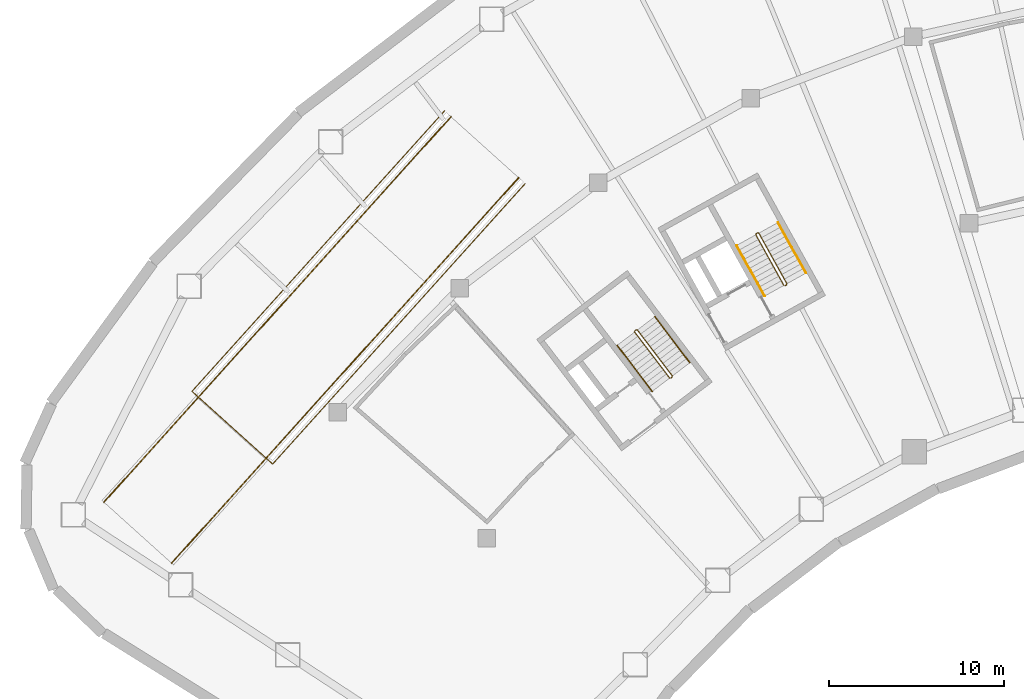
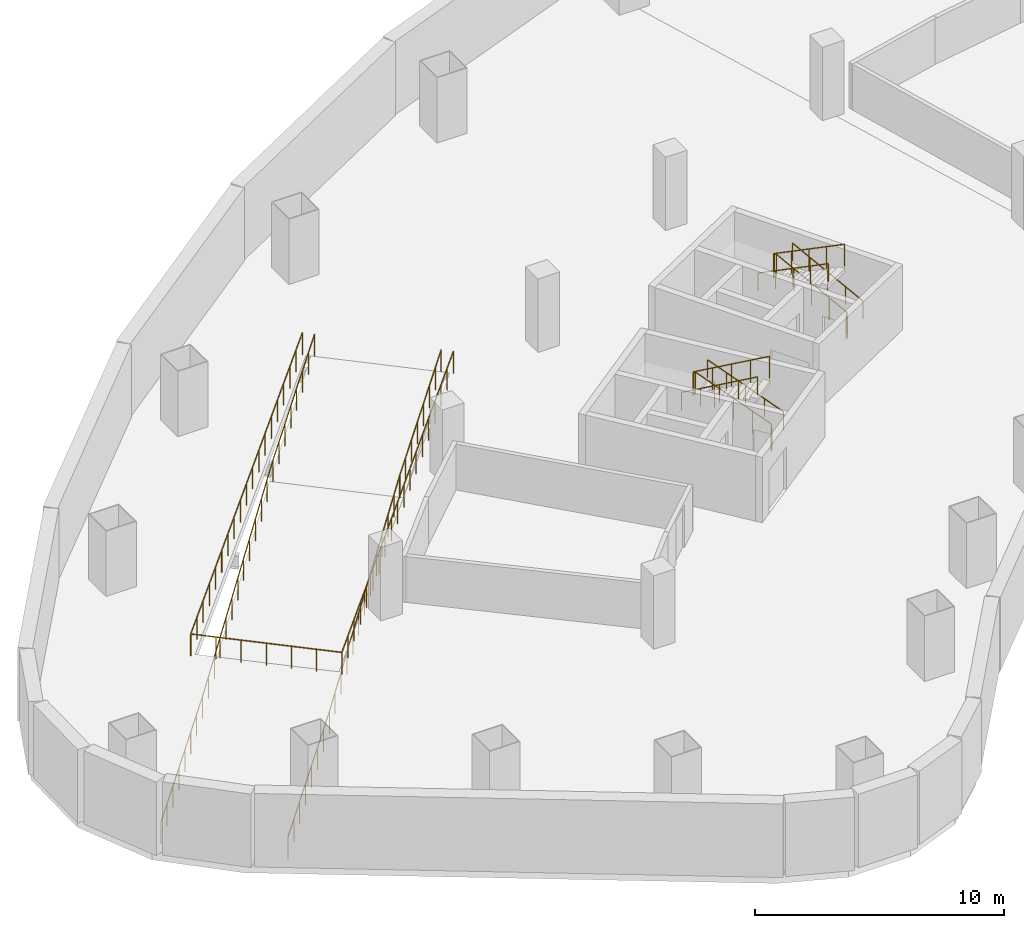
# One storey, part 9 of 10: 9 railings.
"""IFC4 building model written with IfcOpenShell, lengths in metres."""

import ifcopenshell
import ifcopenshell.guid

model = None  # the IFC model being written
_history = None  # IfcOwnerHistory: only IFC2X3 demands one
_inside = {}  # id of a spatial element -> (the spatial element, [elements in it])
_under = {}  # id of a project, library or spatial element -> (it, [spatial elements below it])
_declared = {}  # id of a project -> (the project, [libraries it declares])
_typed = {}  # id of a type object -> (the type object, [elements of that type])
_made_of = {}  # id of a material, layer set ... -> (it, [elements and type objects made of it])


def new_model(schema):
    """Start an empty IFC model of exactly this schema.

    Asked for "IFC4X3", IfcOpenShell would pick the latest addendum, in which some entities
    have other attributes; the version numbers below select the first issue.
    IFC2X3 requires an IfcOwnerHistory on every rooted entity: one is made here for all.
    """
    global model, _history
    if schema == "IFC4X3":
        model = ifcopenshell.file(schema_version=(4, 3, 0, 0))
    else:
        model = ifcopenshell.file(schema=schema)
    _inside.clear()
    _under.clear()
    _declared.clear()
    _typed.clear()
    _made_of.clear()
    _history = None
    if model.schema == "IFC2X3":
        org = make("IfcOrganization", Name="unknown")
        user = make(
            "IfcPersonAndOrganization",
            ThePerson=make("IfcPerson", FamilyName="unknown"),
            TheOrganization=org,
        )
        app = make(
            "IfcApplication",
            ApplicationDeveloper=org,
            Version="unknown",
            ApplicationFullName="unknown",
            ApplicationIdentifier="unknown",
        )
        _history = make(
            "IfcOwnerHistory",
            OwningUser=user,
            OwningApplication=app,
            ChangeAction="ADDED",
            CreationDate=0,
        )
    return model


def make(cls, **values):
    """One entity of the class cls with the attributes given. An attribute that is None is left unset."""
    return model.create_entity(
        cls, **{name: value for name, value in values.items() if value is not None}
    )


def rooted(cls, **values):
    """An entity with a GlobalId (a new one), such as an element, a storey or a relation."""
    return make(cls, GlobalId=ifcopenshell.guid.new(), OwnerHistory=_history, **values)


def si_unit(unit_type, name, prefix=None):
    """IfcSIUnit, for example si_unit("LENGTHUNIT", "METRE", prefix="MILLI")."""
    return make("IfcSIUnit", UnitType=unit_type, Prefix=prefix, Name=name)


def assignment(units):
    """IfcUnitAssignment: the units of a project."""
    return None if units is None else make("IfcUnitAssignment", Units=units)


def point(xyz):
    """IfcCartesianPoint."""
    return None if xyz is None else make("IfcCartesianPoint", Coordinates=xyz)


def direction(xyz):
    """IfcDirection."""
    return None if xyz is None else make("IfcDirection", DirectionRatios=xyz)


def frame(location, z_axis=None, x_axis=None):
    """IfcAxis2Placement3D, a coordinate frame: its origin and axes. An axis left out is left unset."""
    return make(
        "IfcAxis2Placement3D",
        Location=point(location),
        Axis=direction(z_axis),
        RefDirection=direction(x_axis),
    )


def frame_2d(location, x_axis=None):
    """IfcAxis2Placement2D, a coordinate frame in the plane: its origin and x axis."""
    return make(
        "IfcAxis2Placement2D", Location=point(location), RefDirection=direction(x_axis)
    )


def origin():
    """The frame at (0, 0, 0) with its axes left unset."""
    return frame((0.0, 0.0, 0.0))


def origin_2d():
    """The frame at (0, 0) in the plane with its x axis left unset."""
    return frame_2d((0.0, 0.0))


def place(relative_to, where):
    """IfcLocalPlacement: puts the frame where relative to a parent placement (None: the world)."""
    return make(
        "IfcLocalPlacement", PlacementRelTo=relative_to, RelativePlacement=where
    )


def context(
    kind, dimensions, precision=None, world=None, true_north=None, identifier=None
):
    """IfcGeometricRepresentationContext, for example the 3D "Model" context."""
    return make(
        "IfcGeometricRepresentationContext",
        ContextIdentifier=identifier,
        ContextType=kind,
        CoordinateSpaceDimension=dimensions,
        Precision=precision,
        WorldCoordinateSystem=world,
        TrueNorth=true_north,
    )


def subcontext(parent, identifier, kind, view, scale=None):
    """IfcGeometricRepresentationSubContext, for example "Body" below "Model"."""
    return make(
        "IfcGeometricRepresentationSubContext",
        ContextIdentifier=identifier,
        ContextType=kind,
        ParentContext=parent,
        TargetScale=scale,
        TargetView=view,
    )


def project(units=None, contexts=None):
    """IfcProject with its units and contexts."""
    return rooted(
        "IfcProject",
        Name="project",
        RepresentationContexts=contexts,
        UnitsInContext=assignment(units),
    )


def spatial(cls, under=None, at=None, **own):
    """A site, building, storey or space (cls), placed at a placement, below another one or the project."""
    s = rooted(cls, ObjectPlacement=at, **own)
    if under is not None:
        _under.setdefault(under.id(), (under, []))[1].append(s)
    return s


def profile(cls, at=None, kind="AREA", **sizes):
    """A parametric profile (cls). Its sizes go by their IFC names, for example OverallWidth=200.0."""
    return make(cls, ProfileType=kind, Position=at, **sizes)


def circle(**sizes):
    """IfcCircleProfileDef."""
    return profile("IfcCircleProfileDef", **sizes)


def extrude(swept, where, along, depth):
    """IfcExtrudedAreaSolid: the profile swept, set in the frame where, extruded along a direction by depth."""
    return make(
        "IfcExtrudedAreaSolid",
        SweptArea=swept,
        Position=where,
        ExtrudedDirection=direction(along),
        Depth=depth,
    )


def shape(context_of_items, identifier, shape_type, items):
    """IfcShapeRepresentation: the items that make up one representation, for example the "Body"."""
    return make(
        "IfcShapeRepresentation",
        ContextOfItems=context_of_items,
        RepresentationIdentifier=identifier,
        RepresentationType=shape_type,
        Items=items,
    )


def material(Name=None, Category=None):
    """IfcMaterial."""
    return make("IfcMaterial", Name=Name, Category=Category)


def made_of(thing, what):
    """Note that an element or type object is made of a material, layer set ...; save() writes the relation."""
    if what is not None:
        _made_of.setdefault(what.id(), (what, []))[1].append(thing)
    return thing


def type_object(cls, material=None, **own):
    """A type object (cls), such as IfcWallType, which elements share."""
    return made_of(rooted(cls, **own), material)


def element(
    cls,
    number,
    at=None,
    inside=None,
    cuts=None,
    type_object=None,
    material=None,
    context=None,
    identifier="Body",
    shape_type=None,
    held_by="IfcProductDefinitionShape",
    body=None,
    shapes=None,
    **own,
):
    """One element of the class cls, such as IfcWall. Its Tag is "e" and its number.

    at: its placement. inside: the storey or other place that contains it. cuts: it is an
    opening in that element (IfcRelVoidsElement). A single representation is given by context,
    identifier, shape_type and body (its items); several are given by shapes. held_by: the class
    of the entity that holds the representations. save() writes the other relations.
    """
    e = rooted(cls, Tag="e%d" % number, ObjectPlacement=at, **own)
    if body is not None:
        shapes = [shape(context, identifier, shape_type, body)]
    if shapes is not None:
        e.Representation = make(held_by, Representations=shapes)
    if inside is not None:
        _inside.setdefault(inside.id(), (inside, []))[1].append(e)
    if cuts is not None:
        rooted(
            "IfcRelVoidsElement", RelatingBuildingElement=cuts, RelatedOpeningElement=e
        )
    if type_object is not None:
        _typed.setdefault(type_object.id(), (type_object, []))[1].append(e)
    return made_of(e, material)


def aggregate(whole, parts):
    """IfcRelAggregates: a whole, such as a stair, and the parts it consists of."""
    return rooted("IfcRelAggregates", RelatingObject=whole, RelatedObjects=parts)


def save(model, path):
    """Write the relations noted so far, then the file.

    IfcRelAggregates (storeys below a building ...), IfcRelContainedInSpatialStructure (elements
    in a storey), IfcRelDefinesByType, IfcRelAssociatesMaterial and IfcRelDeclares: one each for
    every whole, place, type object, material and project.
    """
    for whole, parts in _under.values():
        aggregate(whole, parts)
    for where, things in _inside.values():
        rooted(
            "IfcRelContainedInSpatialStructure",
            RelatedElements=things,
            RelatingStructure=where,
        )
    for kind, things in _typed.values():
        rooted("IfcRelDefinesByType", RelatedObjects=things, RelatingType=kind)
    for what, things in _made_of.values():
        rooted("IfcRelAssociatesMaterial", RelatedObjects=things, RelatingMaterial=what)
    for by, libraries in _declared.values():
        rooted("IfcRelDeclares", RelatingContext=by, RelatedDefinitions=libraries)
    model.write(path)


model = new_model("IFC4")

# Units and contexts
model_context = context("Model", 3, precision=1e-05, world=origin(), true_north=direction((0.0, 1.0)))
body_context = subcontext(model_context, "Body", "Model", "MODEL_VIEW")
ifc_project = project(units=[si_unit("LENGTHUNIT", "METRE"), si_unit("AREAUNIT", "SQUARE_METRE"), si_unit("VOLUMEUNIT", "CUBIC_METRE"), si_unit("PLANEANGLEUNIT", "RADIAN"), si_unit("MASSUNIT", "GRAM", prefix="KILO")], contexts=[model_context])

# Site, building, storey
site_placement = place(None, origin())
site = spatial("IfcSite", under=ifc_project, at=site_placement, CompositionType="ELEMENT")
building_placement = place(site_placement, origin())
building = spatial("IfcBuilding", under=site, at=building_placement, Name="Tuul Gate Civic Tower", CompositionType="ELEMENT")
storey_placement = place(building_placement, frame((0.0, 0.0, -8.10009765625)))
storey = spatial("IfcBuildingStorey", under=building, at=storey_placement, Name="Basement 2", CompositionType="ELEMENT", Elevation=-8.10009765625)

# Railings
ifc_material_1 = material(Name="Painted steel", Category="steel")
railing_type_1 = type_object("IfcRailingType", Name="Stair guard", PredefinedType="GUARDRAIL", material=ifc_material_1)
railing_1_placement = place(storey_placement, frame((-33.382080078125, -13.515380859375, 0.0)))
element("IfcRailing", 1, at=railing_1_placement, inside=storey, type_object=railing_type_1, Name="Basement 2 ST-1 stair guard 1", PredefinedType="GUARDRAIL", context=body_context, shape_type="SweptSolid", body=[
    extrude(circle(Radius=0.02392578125, at=origin_2d()), frame((0.0, 0.0, 1.076171875), z_axis=(-0.795879841968, -0.605454603706, 0.0), x_axis=(0.605454603706, -0.795879841968, 0.0)), (0.0, 0.0, 1.0), 0.10009765625),
    extrude(circle(Radius=0.02392578125, at=origin_2d()), frame((-0.07958984375, -0.060546875, 1.076171875), z_axis=(0.408676696321, 0.599019267211, 0.688592241747), x_axis=(-0.826063974707, 0.563576356576, 0.0)), (0.0, 0.0, 1.0), 0.218017578125),
    extrude(circle(Radius=0.02392578125, at=origin_2d()), frame((0.009521484375, 0.070068359375, 1.22607421875), z_axis=(-0.541833074758, 0.711635672441, 0.447204191403), x_axis=(-0.795628686791, -0.60578460921, 0.0)), (0.0, 0.0, 1.0), 3.689453125),
    extrude(circle(Radius=0.02392578125, at=origin_2d()), frame((-1.989501953125, 2.695556640625, 2.8759765625), z_axis=(-0.990893089246, 0.134650977284, 0.0), x_axis=(-0.134650977284, -0.990893089246, 0.0)), (0.0, 0.0, 1.0), 0.07080078125),
    extrude(circle(Radius=0.02392578125, at=origin_2d()), frame((-2.0595703125, 2.705078125, 2.8759765625), z_axis=(-0.795879841968, -0.605454603706, 0.0), x_axis=(0.605454603706, -0.795879841968, 0.0)), (0.0, 0.0, 1.0), 0.10009765625),
    extrude(circle(Radius=0.02392578125, at=origin_2d()), frame((-2.13916015625, 2.64453125, 2.8759765625), z_axis=(-0.057370624079, -0.422188951554, 0.904690610473), x_axis=(0.990893089246, -0.134650977284, 0.0)), (0.0, 0.0, 1.0), 0.166015625),
    extrude(circle(Radius=0.02392578125, at=origin_2d()), frame((-2.148681640625, 2.574462890625, 3.0263671875), z_axis=(0.541833074758, -0.711635672441, 0.447204191403), x_axis=(0.795628686791, 0.60578460921, 0.0)), (0.0, 0.0, 1.0), 3.689453125),
    extrude(circle(Radius=0.02099609375, at=origin_2d()), origin(), (0.0, 0.0, 1.0), 1.052001953125),
    extrude(circle(Radius=0.02099609375, at=origin_2d()), frame((-0.07958984375, -0.060546875, 0.0)), (0.0, 0.0, 1.0), 1.052001953125),
    extrude(circle(Radius=0.02099609375, at=origin_2d()), frame((0.009521484375, 0.070068359375, 0.150146484375)), (0.0, 0.0, 1.0), 1.052001953125),
    extrude(circle(Radius=0.02099609375, at=origin_2d()), frame((-0.490234375, 0.7265625, 0.5625)), (0.0, 0.0, 1.0), 1.052001953125),
    extrude(circle(Radius=0.02099609375, at=origin_2d()), frame((-0.989990234375, 1.3828125, 0.97509765625)), (0.0, 0.0, 1.0), 1.052001953125),
    extrude(circle(Radius=0.02099609375, at=origin_2d()), frame((-1.48974609375, 2.0390625, 1.3876953125)), (0.0, 0.0, 1.0), 1.052001953125),
    extrude(circle(Radius=0.02099609375, at=origin_2d()), frame((-1.989501953125, 2.695556640625, 1.800048828125)), (0.0, 0.0, 1.0), 1.052001953125),
    extrude(circle(Radius=0.02099609375, at=origin_2d()), frame((-2.0595703125, 2.705078125, 1.800048828125)), (0.0, 0.0, 1.0), 1.052001953125),
    extrude(circle(Radius=0.02099609375, at=origin_2d()), frame((-2.13916015625, 2.64453125, 1.800048828125)), (0.0, 0.0, 1.0), 1.052001953125),
    extrude(circle(Radius=0.02099609375, at=origin_2d()), frame((-2.148681640625, 2.574462890625, 1.9501953125)), (0.0, 0.0, 1.0), 1.052001953125),
    extrude(circle(Radius=0.02099609375, at=origin_2d()), frame((-1.64892578125, 1.91796875, 2.36279296875)), (0.0, 0.0, 1.0), 1.052001953125),
    extrude(circle(Radius=0.02099609375, at=origin_2d()), frame((-1.149169921875, 1.26171875, 2.775146484375)), (0.0, 0.0, 1.0), 1.052001953125),
    extrude(circle(Radius=0.02099609375, at=origin_2d()), frame((-0.6494140625, 0.60546875, 3.1875)), (0.0, 0.0, 1.0), 1.052001953125),
    extrude(circle(Radius=0.02099609375, at=origin_2d()), frame((-0.149658203125, -0.051025390625, 3.60009765625)), (0.0, 0.0, 1.0), 1.052001953125),
])
railing_2_placement = place(storey_placement, frame((-26.857666015625, -8.247314453125, 0.0)))
element("IfcRailing", 2, at=railing_2_placement, inside=storey, type_object=railing_type_1, Name="Basement 2 ST-2 stair guard 1", PredefinedType="GUARDRAIL", context=body_context, shape_type="SweptSolid", body=[
    extrude(circle(Radius=0.02392578125, at=origin_2d()), frame((0.0, 0.0, 1.076171875), z_axis=(-0.874616555828, -0.48481530532, 0.0), x_axis=(0.48481530532, -0.874616555828, 0.0)), (0.0, 0.0, 1.0), 0.10009765625),
    extrude(circle(Radius=0.02392578125, at=origin_2d()), frame((-0.087646484375, -0.048583984375, 1.076171875), z_axis=(0.490435707169, 0.534104639999, 0.688625479244), x_axis=(-0.736576986774, 0.676353711126, 0.0)), (0.0, 0.0, 1.0), 0.218017578125),
    extrude(circle(Radius=0.02392578125, at=origin_2d()), frame((0.019287109375, 0.06787109375, 1.22607421875), z_axis=(-0.433553189165, 0.782341171474, 0.447184440228), x_axis=(-0.874669765463, -0.484719301642, 0.0)), (0.0, 0.0, 1.0), 3.689453125),
    extrude(circle(Radius=0.02392578125, at=origin_2d()), frame((-1.580322265625, 2.954345703125, 2.8759765625), z_axis=(-0.961914682459, 0.273349855807, 0.0), x_axis=(-0.273349855807, -0.961914682459, 0.0)), (0.0, 0.0, 1.0), 0.070556640625),
    extrude(circle(Radius=0.02392578125, at=origin_2d()), frame((-1.648193359375, 2.9736328125, 2.8759765625), z_axis=(-0.87564882518, -0.482948377119, 0.0), x_axis=(0.482948377119, -0.87564882518, 0.0)), (0.0, 0.0, 1.0), 0.10009765625),
    extrude(circle(Radius=0.02392578125, at=origin_2d()), frame((-1.73583984375, 2.92529296875, 2.8759765625), z_axis=(-0.116188155322, -0.410335383985, 0.90450272814), x_axis=(0.962171938298, -0.272442950271, 0.0)), (0.0, 0.0, 1.0), 0.166015625),
    extrude(circle(Radius=0.02392578125, at=origin_2d()), frame((-1.755126953125, 2.857177734375, 3.0263671875), z_axis=(0.43357563431, -0.782315498904, 0.447207591067), x_axis=(0.874652381884, 0.484750668762, 0.0)), (0.0, 0.0, 1.0), 3.689453125),
    extrude(circle(Radius=0.02099609375, at=origin_2d()), origin(), (0.0, 0.0, 1.0), 1.052001953125),
    extrude(circle(Radius=0.02099609375, at=origin_2d()), frame((-0.087646484375, -0.048583984375, 0.0)), (0.0, 0.0, 1.0), 1.052001953125),
    extrude(circle(Radius=0.02099609375, at=origin_2d()), frame((0.019287109375, 0.06787109375, 0.150146484375)), (0.0, 0.0, 1.0), 1.052001953125),
    extrude(circle(Radius=0.02099609375, at=origin_2d()), frame((-0.380615234375, 0.78955078125, 0.5625)), (0.0, 0.0, 1.0), 1.052001953125),
    extrude(circle(Radius=0.02099609375, at=origin_2d()), frame((-0.780517578125, 1.51123046875, 0.97509765625)), (0.0, 0.0, 1.0), 1.052001953125),
    extrude(circle(Radius=0.02099609375, at=origin_2d()), frame((-1.180419921875, 2.232666015625, 1.3876953125)), (0.0, 0.0, 1.0), 1.052001953125),
    extrude(circle(Radius=0.02099609375, at=origin_2d()), frame((-1.580322265625, 2.954345703125, 1.800048828125)), (0.0, 0.0, 1.0), 1.052001953125),
    extrude(circle(Radius=0.02099609375, at=origin_2d()), frame((-1.648193359375, 2.9736328125, 1.800048828125)), (0.0, 0.0, 1.0), 1.052001953125),
    extrude(circle(Radius=0.02099609375, at=origin_2d()), frame((-1.73583984375, 2.92529296875, 1.800048828125)), (0.0, 0.0, 1.0), 1.052001953125),
    extrude(circle(Radius=0.02099609375, at=origin_2d()), frame((-1.755126953125, 2.857177734375, 1.9501953125)), (0.0, 0.0, 1.0), 1.052001953125),
    extrude(circle(Radius=0.02099609375, at=origin_2d()), frame((-1.355224609375, 2.1357421875, 2.36279296875)), (0.0, 0.0, 1.0), 1.052001953125),
    extrude(circle(Radius=0.02099609375, at=origin_2d()), frame((-0.955322265625, 1.4140625, 2.775146484375)), (0.0, 0.0, 1.0), 1.052001953125),
    extrude(circle(Radius=0.02099609375, at=origin_2d()), frame((-0.555419921875, 0.6923828125, 3.1875)), (0.0, 0.0, 1.0), 1.052001953125),
    extrude(circle(Radius=0.02099609375, at=origin_2d()), frame((-0.155517578125, -0.029052734375, 3.60009765625)), (0.0, 0.0, 1.0), 1.052001953125),
])
ifc_material_2 = material(Name="Painted steel", Category="steel")
railing_type_2 = type_object("IfcRailingType", Name="Stair handrail", PredefinedType="HANDRAIL", material=ifc_material_2)
railing_3_placement = place(storey_placement, frame((-32.3779296875, -12.688232421875, 0.150146484375)))
element("IfcRailing", 3, at=railing_3_placement, inside=storey, type_object=railing_type_2, Name="Basement 2 ST-1 stair handrail 1", PredefinedType="HANDRAIL", context=body_context, shape_type="SweptSolid", body=[
    extrude(circle(Radius=0.02392578125, at=origin_2d()), frame((0.0, 0.0, 0.8759765625), z_axis=(-0.541807559473, 0.711668331966, 0.447183132257), x_axis=(-0.795655834834, -0.605748951708, 0.0)), (0.0, 0.0, 1.0), 3.689453125),
    extrude(circle(Radius=0.02099609375, at=origin_2d()), origin(), (0.0, 0.0, 1.0), 0.851806640625),
    extrude(circle(Radius=0.02099609375, at=origin_2d()), frame((-0.499755859375, 0.656494140625, 0.41259765625)), (0.0, 0.0, 1.0), 0.851806640625),
    extrude(circle(Radius=0.02099609375, at=origin_2d()), frame((-0.99951171875, 1.31298828125, 0.824951171875)), (0.0, 0.0, 1.0), 0.851806640625),
    extrude(circle(Radius=0.02099609375, at=origin_2d()), frame((-1.499267578125, 1.96923828125, 1.2373046875)), (0.0, 0.0, 1.0), 0.851806640625),
    extrude(circle(Radius=0.02099609375, at=origin_2d()), frame((-1.9990234375, 2.625732421875, 1.64990234375)), (0.0, 0.0, 1.0), 0.851806640625),
])
railing_4_placement = place(storey_placement, frame((-36.525146484375, -11.697998046875, 1.9501953125)))
element("IfcRailing", 4, at=railing_4_placement, inside=storey, type_object=railing_type_2, Name="Basement 2 ST-1 stair handrail 2", PredefinedType="HANDRAIL", context=body_context, shape_type="SweptSolid", body=[
    extrude(circle(Radius=0.02392578125, at=origin_2d()), frame((0.0, 0.0, 0.8759765625), z_axis=(0.541807559473, -0.711668331966, 0.447183132257), x_axis=(0.795655834834, 0.605748951708, 0.0)), (0.0, 0.0, 1.0), 3.689453125),
    extrude(circle(Radius=0.02099609375, at=origin_2d()), origin(), (0.0, 0.0, 1.0), 0.851806640625),
    extrude(circle(Radius=0.02099609375, at=origin_2d()), frame((0.499755859375, -0.656494140625, 0.41259765625)), (0.0, 0.0, 1.0), 0.851806640625),
    extrude(circle(Radius=0.02099609375, at=origin_2d()), frame((0.99951171875, -1.31298828125, 0.824951171875)), (0.0, 0.0, 1.0), 0.851806640625),
    extrude(circle(Radius=0.02099609375, at=origin_2d()), frame((1.499267578125, -1.96923828125, 1.2373046875)), (0.0, 0.0, 1.0), 0.851806640625),
    extrude(circle(Radius=0.02099609375, at=origin_2d()), frame((1.9990234375, -2.625732421875, 1.64990234375)), (0.0, 0.0, 1.0), 0.851806640625),
])
railing_5_placement = place(storey_placement, frame((-25.744873046875, -7.573486328125, 0.150146484375)))
element("IfcRailing", 5, at=railing_5_placement, inside=storey, type_object=railing_type_2, Name="Basement 2 ST-2 stair handrail 1", PredefinedType="HANDRAIL", context=body_context, shape_type="SweptSolid", body=[
    extrude(circle(Radius=0.02392578125, at=origin_2d()), frame((0.0, 0.0, 0.8759765625), z_axis=(-0.433606919896, 0.782318726375, 0.447171610661), x_axis=(-0.874638399355, -0.484775897063, 0.0)), (0.0, 0.0, 1.0), 3.689697265625),
    extrude(circle(Radius=0.02099609375, at=origin_2d()), origin(), (0.0, 0.0, 1.0), 0.851806640625),
    extrude(circle(Radius=0.02099609375, at=origin_2d()), frame((-0.39990234375, 0.7216796875, 0.41259765625)), (0.0, 0.0, 1.0), 0.851806640625),
    extrude(circle(Radius=0.02099609375, at=origin_2d()), frame((-0.7998046875, 1.443359375, 0.824951171875)), (0.0, 0.0, 1.0), 0.851806640625),
    extrude(circle(Radius=0.02099609375, at=origin_2d()), frame((-1.199951171875, 2.164794921875, 1.2373046875)), (0.0, 0.0, 1.0), 0.851806640625),
    extrude(circle(Radius=0.02099609375, at=origin_2d()), frame((-1.599853515625, 2.886474609375, 1.64990234375)), (0.0, 0.0, 1.0), 0.851806640625),
])
railing_6_placement = place(storey_placement, frame((-29.706298828125, -5.99609375, 1.9501953125)))
element("IfcRailing", 6, at=railing_6_placement, inside=storey, type_object=railing_type_2, Name="Basement 2 ST-2 stair handrail 2", PredefinedType="HANDRAIL", context=body_context, shape_type="SweptSolid", body=[
    extrude(circle(Radius=0.02392578125, at=origin_2d()), frame((0.0, 0.0, 0.8759765625), z_axis=(0.433629366535, -0.782293052218, 0.447194759507), x_axis=(0.87462101234, 0.484807265595, 0.0)), (0.0, 0.0, 1.0), 3.689453125),
    extrude(circle(Radius=0.02099609375, at=origin_2d()), origin(), (0.0, 0.0, 1.0), 0.851806640625),
    extrude(circle(Radius=0.02099609375, at=origin_2d()), frame((0.39990234375, -0.7216796875, 0.41259765625)), (0.0, 0.0, 1.0), 0.851806640625),
    extrude(circle(Radius=0.02099609375, at=origin_2d()), frame((0.7998046875, -1.443115234375, 0.824951171875)), (0.0, 0.0, 1.0), 0.851806640625),
    extrude(circle(Radius=0.02099609375, at=origin_2d()), frame((1.199951171875, -2.16455078125, 1.2373046875)), (0.0, 0.0, 1.0), 0.851806640625),
    extrude(circle(Radius=0.02099609375, at=origin_2d()), frame((1.599853515625, -2.88623046875, 1.64990234375)), (0.0, 0.0, 1.0), 0.851806640625),
])
ifc_material_3 = material(Name="Stainless steel", Category="steel")
railing_type_3 = type_object("IfcRailingType", Name="Terrace guard", PredefinedType="GUARDRAIL", material=ifc_material_3)
railing_7_placement = place(storey_placement, frame((-42.14892578125, -2.133544921875, 0.0)))
element("IfcRailing", 7, at=railing_7_placement, inside=storey, type_object=railing_type_3, Name="Guard", PredefinedType="GUARDRAIL", context=body_context, shape_type="SweptSolid", body=[
    extrude(circle(Radius=0.02392578125, at=origin_2d()), frame((0.0, 0.0, 1.076171875), z_axis=(-0.666809711944, -0.740588803487, -0.083024286856), x_axis=(0.743154526579, -0.669119832037, 0.0)), (0.0, 0.0, 1.0), 8.02783203125),
    extrude(circle(Radius=0.02392578125, at=origin_2d()), frame((-5.35302734375, -5.9453125, 0.40966796875), z_axis=(-0.660024551727, -0.733032042921, -0.164412940999), x_axis=(0.74314505955, -0.669130346394, 0.0)), (0.0, 0.0, 1.0), 13.78759765625),
    extrude(circle(Radius=0.02392578125, at=origin_2d()), frame((-14.453125, -16.052001953125, -1.857421875), z_axis=(-0.66682473047, -0.740575071225, -0.083026156808), x_axis=(0.743140862918, -0.669135007201, 0.0)), (0.0, 0.0, 1.0), 8.027587890625),
    extrude(circle(Radius=0.02099609375, at=origin_2d()), origin(), (0.0, 0.0, 1.0), 1.052001953125),
    extrude(circle(Radius=0.02099609375, at=origin_2d()), frame((-0.7646484375, -0.849365234375, -0.09521484375)), (0.0, 0.0, 1.0), 1.052001953125),
    extrude(circle(Radius=0.02099609375, at=origin_2d()), frame((-1.529541015625, -1.69873046875, -0.1904296875)), (0.0, 0.0, 1.0), 1.052001953125),
    extrude(circle(Radius=0.02099609375, at=origin_2d()), frame((-2.294189453125, -2.548095703125, -0.28564453125)), (0.0, 0.0, 1.0), 1.052001953125),
    extrude(circle(Radius=0.02099609375, at=origin_2d()), frame((-3.058837890625, -3.397216796875, -0.380859375)), (0.0, 0.0, 1.0), 1.052001953125),
    extrude(circle(Radius=0.02099609375, at=origin_2d()), frame((-3.823486328125, -4.24658203125, -0.47607421875)), (0.0, 0.0, 1.0), 1.052001953125),
    extrude(circle(Radius=0.02099609375, at=origin_2d()), frame((-4.58837890625, -5.095947265625, -0.5712890625)), (0.0, 0.0, 1.0), 1.052001953125),
    extrude(circle(Radius=0.02099609375, at=origin_2d()), frame((-5.35302734375, -5.9453125, -0.66650390625)), (0.0, 0.0, 1.0), 1.052001953125),
    extrude(circle(Radius=0.02099609375, at=origin_2d()), frame((-6.111328125, -6.78759765625, -0.85546875)), (0.0, 0.0, 1.0), 1.052001953125),
    extrude(circle(Radius=0.02099609375, at=origin_2d()), frame((-6.86962890625, -7.6298828125, -1.04443359375)), (0.0, 0.0, 1.0), 1.052001953125),
    extrude(circle(Radius=0.02099609375, at=origin_2d()), frame((-7.6279296875, -8.471923828125, -1.233154296875)), (0.0, 0.0, 1.0), 1.052001953125),
    extrude(circle(Radius=0.02099609375, at=origin_2d()), frame((-8.386474609375, -9.314208984375, -1.422119140625)), (0.0, 0.0, 1.0), 1.052001953125),
    extrude(circle(Radius=0.02099609375, at=origin_2d()), frame((-9.144775390625, -10.156494140625, -1.611083984375)), (0.0, 0.0, 1.0), 1.052001953125),
    extrude(circle(Radius=0.02099609375, at=origin_2d()), frame((-9.903076171875, -10.99853515625, -1.7998046875)), (0.0, 0.0, 1.0), 1.052001953125),
    extrude(circle(Radius=0.02099609375, at=origin_2d()), frame((-10.661376953125, -11.8408203125, -1.98876953125)), (0.0, 0.0, 1.0), 1.052001953125),
    extrude(circle(Radius=0.02099609375, at=origin_2d()), frame((-11.419677734375, -12.68310546875, -2.177734375)), (0.0, 0.0, 1.0), 1.052001953125),
    extrude(circle(Radius=0.02099609375, at=origin_2d()), frame((-12.17822265625, -13.525390625, -2.36669921875)), (0.0, 0.0, 1.0), 1.052001953125),
    extrude(circle(Radius=0.02099609375, at=origin_2d()), frame((-12.9365234375, -14.36767578125, -2.5556640625)), (0.0, 0.0, 1.0), 1.052001953125),
    extrude(circle(Radius=0.02099609375, at=origin_2d()), frame((-13.69482421875, -15.209716796875, -2.744384765625)), (0.0, 0.0, 1.0), 1.052001953125),
    extrude(circle(Radius=0.02099609375, at=origin_2d()), frame((-14.453125, -16.052001953125, -2.933349609375)), (0.0, 0.0, 1.0), 1.052001953125),
    extrude(circle(Radius=0.02099609375, at=origin_2d()), frame((-15.2177734375, -16.9013671875, -3.028564453125)), (0.0, 0.0, 1.0), 1.052001953125),
    extrude(circle(Radius=0.02099609375, at=origin_2d()), frame((-15.982666015625, -17.75048828125, -3.123779296875)), (0.0, 0.0, 1.0), 1.052001953125),
    extrude(circle(Radius=0.02099609375, at=origin_2d()), frame((-16.747314453125, -18.599853515625, -3.218994140625)), (0.0, 0.0, 1.0), 1.052001953125),
    extrude(circle(Radius=0.02099609375, at=origin_2d()), frame((-17.511962890625, -19.44921875, -3.314208984375)), (0.0, 0.0, 1.0), 1.052001953125),
    extrude(circle(Radius=0.02099609375, at=origin_2d()), frame((-18.276611328125, -20.298583984375, -3.409423828125)), (0.0, 0.0, 1.0), 1.052001953125),
    extrude(circle(Radius=0.02099609375, at=origin_2d()), frame((-19.04150390625, -21.147705078125, -3.504638671875)), (0.0, 0.0, 1.0), 1.052001953125),
    extrude(circle(Radius=0.02099609375, at=origin_2d()), frame((-19.80615234375, -21.9970703125, -3.599853515625)), (0.0, 0.0, 1.0), 1.052001953125),
])
railing_8_placement = place(storey_placement, frame((-46.01318359375, 1.345947265625, 0.0)))
element("IfcRailing", 8, at=railing_8_placement, inside=storey, type_object=railing_type_3, Name="Guard", PredefinedType="GUARDRAIL", context=body_context, shape_type="SweptSolid", body=[
    extrude(circle(Radius=0.02392578125, at=origin_2d()), frame((0.0, 0.0, 1.076171875), z_axis=(-0.666809711944, -0.740588803487, -0.083024286856), x_axis=(0.743154526579, -0.669119832037, 0.0)), (0.0, 0.0, 1.0), 8.02783203125),
    extrude(circle(Radius=0.02392578125, at=origin_2d()), frame((-5.35302734375, -5.9453125, 0.40966796875), z_axis=(-0.660034545018, -0.733023475791, -0.164411019463), x_axis=(0.74313613293, -0.669140260284, 0.0)), (0.0, 0.0, 1.0), 13.78759765625),
    extrude(circle(Radius=0.02392578125, at=origin_2d()), frame((-14.453369140625, -16.052001953125, -1.857421875), z_axis=(-0.66682473047, -0.740575071225, -0.083026156808), x_axis=(0.743140862918, -0.669135007201, 0.0)), (0.0, 0.0, 1.0), 8.027587890625),
    extrude(circle(Radius=0.02099609375, at=origin_2d()), origin(), (0.0, 0.0, 1.0), 1.052001953125),
    extrude(circle(Radius=0.02099609375, at=origin_2d()), frame((-0.7646484375, -0.849365234375, -0.09521484375)), (0.0, 0.0, 1.0), 1.052001953125),
    extrude(circle(Radius=0.02099609375, at=origin_2d()), frame((-1.529541015625, -1.69873046875, -0.1904296875)), (0.0, 0.0, 1.0), 1.052001953125),
    extrude(circle(Radius=0.02099609375, at=origin_2d()), frame((-2.294189453125, -2.548095703125, -0.28564453125)), (0.0, 0.0, 1.0), 1.052001953125),
    extrude(circle(Radius=0.02099609375, at=origin_2d()), frame((-3.058837890625, -3.397216796875, -0.380859375)), (0.0, 0.0, 1.0), 1.052001953125),
    extrude(circle(Radius=0.02099609375, at=origin_2d()), frame((-3.823486328125, -4.24658203125, -0.47607421875)), (0.0, 0.0, 1.0), 1.052001953125),
    extrude(circle(Radius=0.02099609375, at=origin_2d()), frame((-4.58837890625, -5.095947265625, -0.5712890625)), (0.0, 0.0, 1.0), 1.052001953125),
    extrude(circle(Radius=0.02099609375, at=origin_2d()), frame((-5.35302734375, -5.9453125, -0.66650390625)), (0.0, 0.0, 1.0), 1.052001953125),
    extrude(circle(Radius=0.02099609375, at=origin_2d()), frame((-6.111328125, -6.78759765625, -0.85546875)), (0.0, 0.0, 1.0), 1.052001953125),
    extrude(circle(Radius=0.02099609375, at=origin_2d()), frame((-6.86962890625, -7.6298828125, -1.04443359375)), (0.0, 0.0, 1.0), 1.052001953125),
    extrude(circle(Radius=0.02099609375, at=origin_2d()), frame((-7.628173828125, -8.471923828125, -1.233154296875)), (0.0, 0.0, 1.0), 1.052001953125),
    extrude(circle(Radius=0.02099609375, at=origin_2d()), frame((-8.386474609375, -9.314208984375, -1.422119140625)), (0.0, 0.0, 1.0), 1.052001953125),
    extrude(circle(Radius=0.02099609375, at=origin_2d()), frame((-9.144775390625, -10.156494140625, -1.611083984375)), (0.0, 0.0, 1.0), 1.052001953125),
    extrude(circle(Radius=0.02099609375, at=origin_2d()), frame((-9.9033203125, -10.99853515625, -1.7998046875)), (0.0, 0.0, 1.0), 1.052001953125),
    extrude(circle(Radius=0.02099609375, at=origin_2d()), frame((-10.66162109375, -11.8408203125, -1.98876953125)), (0.0, 0.0, 1.0), 1.052001953125),
    extrude(circle(Radius=0.02099609375, at=origin_2d()), frame((-11.419921875, -12.68310546875, -2.177734375)), (0.0, 0.0, 1.0), 1.052001953125),
    extrude(circle(Radius=0.02099609375, at=origin_2d()), frame((-12.17822265625, -13.525390625, -2.36669921875)), (0.0, 0.0, 1.0), 1.052001953125),
    extrude(circle(Radius=0.02099609375, at=origin_2d()), frame((-12.9365234375, -14.36767578125, -2.5556640625)), (0.0, 0.0, 1.0), 1.052001953125),
    extrude(circle(Radius=0.02099609375, at=origin_2d()), frame((-13.695068359375, -15.209716796875, -2.744384765625)), (0.0, 0.0, 1.0), 1.052001953125),
    extrude(circle(Radius=0.02099609375, at=origin_2d()), frame((-14.453369140625, -16.052001953125, -2.933349609375)), (0.0, 0.0, 1.0), 1.052001953125),
    extrude(circle(Radius=0.02099609375, at=origin_2d()), frame((-15.218017578125, -16.9013671875, -3.028564453125)), (0.0, 0.0, 1.0), 1.052001953125),
    extrude(circle(Radius=0.02099609375, at=origin_2d()), frame((-15.98291015625, -17.75048828125, -3.123779296875)), (0.0, 0.0, 1.0), 1.052001953125),
    extrude(circle(Radius=0.02099609375, at=origin_2d()), frame((-16.74755859375, -18.599853515625, -3.218994140625)), (0.0, 0.0, 1.0), 1.052001953125),
    extrude(circle(Radius=0.02099609375, at=origin_2d()), frame((-17.51220703125, -19.44921875, -3.314208984375)), (0.0, 0.0, 1.0), 1.052001953125),
    extrude(circle(Radius=0.02099609375, at=origin_2d()), frame((-18.27685546875, -20.298583984375, -3.409423828125)), (0.0, 0.0, 1.0), 1.052001953125),
    extrude(circle(Radius=0.02099609375, at=origin_2d()), frame((-19.041748046875, -21.147705078125, -3.504638671875)), (0.0, 0.0, 1.0), 1.052001953125),
    extrude(circle(Radius=0.02099609375, at=origin_2d()), frame((-19.806396484375, -21.9970703125, -3.599853515625)), (0.0, 0.0, 1.0), 1.052001953125),
])
railing_9_placement = place(storey_placement, frame((-41.777587890625, -2.46826171875, 0.0)))
element("IfcRailing", 9, at=railing_9_placement, inside=storey, type_object=railing_type_3, Name="Guard", PredefinedType="GUARDRAIL", context=body_context, shape_type="SweptSolid", body=[
    extrude(circle(Radius=0.02392578125, at=origin_2d()), frame((0.0, 0.0, 1.076171875), z_axis=(-0.669124426321, -0.743150389962, 0.0), x_axis=(0.743150389962, -0.669124426321, 0.0)), (0.0, 0.0, 1.0), 21.5361328125),
    extrude(circle(Radius=0.02392578125, at=origin_2d()), frame((-14.410400390625, -16.004638671875, 1.076171875), z_axis=(-0.743078720692, 0.669204015869, 0.0), x_axis=(-0.669204015869, -0.743078720692, 0.0)), (0.0, 0.0, 1.0), 6.19970703125),
    extrude(circle(Radius=0.02392578125, at=origin_2d()), frame((-19.017333984375, -11.855712890625, 1.076171875), z_axis=(0.669130063433, 0.74314531433, 0.0), x_axis=(-0.74314531433, 0.669130063433, 0.0)), (0.0, 0.0, 1.0), 21.5361328125),
    extrude(circle(Radius=0.02099609375, at=origin_2d()), origin(), (0.0, 0.0, 1.0), 1.052001953125),
    extrude(circle(Radius=0.02099609375, at=origin_2d()), frame((-0.800537109375, -0.88916015625, 0.0)), (0.0, 0.0, 1.0), 1.052001953125),
    extrude(circle(Radius=0.02099609375, at=origin_2d()), frame((-1.60107421875, -1.7783203125, 0.0)), (0.0, 0.0, 1.0), 1.052001953125),
    extrude(circle(Radius=0.02099609375, at=origin_2d()), frame((-2.40185546875, -2.66748046875, 0.0)), (0.0, 0.0, 1.0), 1.052001953125),
    extrude(circle(Radius=0.02099609375, at=origin_2d()), frame((-3.202392578125, -3.556640625, 0.0)), (0.0, 0.0, 1.0), 1.052001953125),
    extrude(circle(Radius=0.02099609375, at=origin_2d()), frame((-4.0029296875, -4.44580078125, 0.0)), (0.0, 0.0, 1.0), 1.052001953125),
    extrude(circle(Radius=0.02099609375, at=origin_2d()), frame((-4.803466796875, -5.3349609375, 0.0)), (0.0, 0.0, 1.0), 1.052001953125),
    extrude(circle(Radius=0.02099609375, at=origin_2d()), frame((-5.60400390625, -6.22412109375, 0.0)), (0.0, 0.0, 1.0), 1.052001953125),
    extrude(circle(Radius=0.02099609375, at=origin_2d()), frame((-6.404541015625, -7.11328125, 0.0)), (0.0, 0.0, 1.0), 1.052001953125),
    extrude(circle(Radius=0.02099609375, at=origin_2d()), frame((-7.205078125, -8.00244140625, 0.0)), (0.0, 0.0, 1.0), 1.052001953125),
    extrude(circle(Radius=0.02099609375, at=origin_2d()), frame((-8.005859375, -8.891357421875, 0.0)), (0.0, 0.0, 1.0), 1.052001953125),
    extrude(circle(Radius=0.02099609375, at=origin_2d()), frame((-8.806396484375, -9.780517578125, 0.0)), (0.0, 0.0, 1.0), 1.052001953125),
    extrude(circle(Radius=0.02099609375, at=origin_2d()), frame((-9.60693359375, -10.669677734375, 0.0)), (0.0, 0.0, 1.0), 1.052001953125),
    extrude(circle(Radius=0.02099609375, at=origin_2d()), frame((-10.407470703125, -11.558837890625, 0.0)), (0.0, 0.0, 1.0), 1.052001953125),
    extrude(circle(Radius=0.02099609375, at=origin_2d()), frame((-11.2080078125, -12.447998046875, 0.0)), (0.0, 0.0, 1.0), 1.052001953125),
    extrude(circle(Radius=0.02099609375, at=origin_2d()), frame((-12.0087890625, -13.337158203125, 0.0)), (0.0, 0.0, 1.0), 1.052001953125),
    extrude(circle(Radius=0.02099609375, at=origin_2d()), frame((-12.809326171875, -14.226318359375, 0.0)), (0.0, 0.0, 1.0), 1.052001953125),
    extrude(circle(Radius=0.02099609375, at=origin_2d()), frame((-13.60986328125, -15.115478515625, 0.0)), (0.0, 0.0, 1.0), 1.052001953125),
    extrude(circle(Radius=0.02099609375, at=origin_2d()), frame((-14.410400390625, -16.004638671875, 0.0)), (0.0, 0.0, 1.0), 1.052001953125),
    extrude(circle(Radius=0.02099609375, at=origin_2d()), frame((-15.17822265625, -15.313232421875, 0.0)), (0.0, 0.0, 1.0), 1.052001953125),
    extrude(circle(Radius=0.02099609375, at=origin_2d()), frame((-15.946044921875, -14.62158203125, 0.0)), (0.0, 0.0, 1.0), 1.052001953125),
    extrude(circle(Radius=0.02099609375, at=origin_2d()), frame((-16.7138671875, -13.93017578125, 0.0)), (0.0, 0.0, 1.0), 1.052001953125),
    extrude(circle(Radius=0.02099609375, at=origin_2d()), frame((-17.481689453125, -13.23876953125, 0.0)), (0.0, 0.0, 1.0), 1.052001953125),
    extrude(circle(Radius=0.02099609375, at=origin_2d()), frame((-18.24951171875, -12.547119140625, 0.0)), (0.0, 0.0, 1.0), 1.052001953125),
    extrude(circle(Radius=0.02099609375, at=origin_2d()), frame((-19.017333984375, -11.855712890625, 0.0)), (0.0, 0.0, 1.0), 1.052001953125),
    extrude(circle(Radius=0.02099609375, at=origin_2d()), frame((-18.216796875, -10.966552734375, 0.0)), (0.0, 0.0, 1.0), 1.052001953125),
    extrude(circle(Radius=0.02099609375, at=origin_2d()), frame((-17.416259765625, -10.077392578125, 0.0)), (0.0, 0.0, 1.0), 1.052001953125),
    extrude(circle(Radius=0.02099609375, at=origin_2d()), frame((-16.61572265625, -9.188232421875, 0.0)), (0.0, 0.0, 1.0), 1.052001953125),
    extrude(circle(Radius=0.02099609375, at=origin_2d()), frame((-15.81494140625, -8.299072265625, 0.0)), (0.0, 0.0, 1.0), 1.052001953125),
    extrude(circle(Radius=0.02099609375, at=origin_2d()), frame((-15.014404296875, -7.41015625, 0.0)), (0.0, 0.0, 1.0), 1.052001953125),
    extrude(circle(Radius=0.02099609375, at=origin_2d()), frame((-14.2138671875, -6.52099609375, 0.0)), (0.0, 0.0, 1.0), 1.052001953125),
    extrude(circle(Radius=0.02099609375, at=origin_2d()), frame((-13.413330078125, -5.6318359375, 0.0)), (0.0, 0.0, 1.0), 1.052001953125),
    extrude(circle(Radius=0.02099609375, at=origin_2d()), frame((-12.61279296875, -4.74267578125, 0.0)), (0.0, 0.0, 1.0), 1.052001953125),
    extrude(circle(Radius=0.02099609375, at=origin_2d()), frame((-11.81201171875, -3.853515625, 0.0)), (0.0, 0.0, 1.0), 1.052001953125),
    extrude(circle(Radius=0.02099609375, at=origin_2d()), frame((-11.011474609375, -2.96435546875, 0.0)), (0.0, 0.0, 1.0), 1.052001953125),
    extrude(circle(Radius=0.02099609375, at=origin_2d()), frame((-10.2109375, -2.0751953125, 0.0)), (0.0, 0.0, 1.0), 1.052001953125),
    extrude(circle(Radius=0.02099609375, at=origin_2d()), frame((-9.410400390625, -1.18603515625, 0.0)), (0.0, 0.0, 1.0), 1.052001953125),
    extrude(circle(Radius=0.02099609375, at=origin_2d()), frame((-8.60986328125, -0.296875, 0.0)), (0.0, 0.0, 1.0), 1.052001953125),
    extrude(circle(Radius=0.02099609375, at=origin_2d()), frame((-7.809326171875, 0.592041015625, 0.0)), (0.0, 0.0, 1.0), 1.052001953125),
    extrude(circle(Radius=0.02099609375, at=origin_2d()), frame((-7.0087890625, 1.481201171875, 0.0)), (0.0, 0.0, 1.0), 1.052001953125),
    extrude(circle(Radius=0.02099609375, at=origin_2d()), frame((-6.2080078125, 2.370361328125, 0.0)), (0.0, 0.0, 1.0), 1.052001953125),
    extrude(circle(Radius=0.02099609375, at=origin_2d()), frame((-5.407470703125, 3.259521484375, 0.0)), (0.0, 0.0, 1.0), 1.052001953125),
    extrude(circle(Radius=0.02099609375, at=origin_2d()), frame((-4.60693359375, 4.148681640625, 0.0)), (0.0, 0.0, 1.0), 1.052001953125),
])

save(model, "model.ifc")
